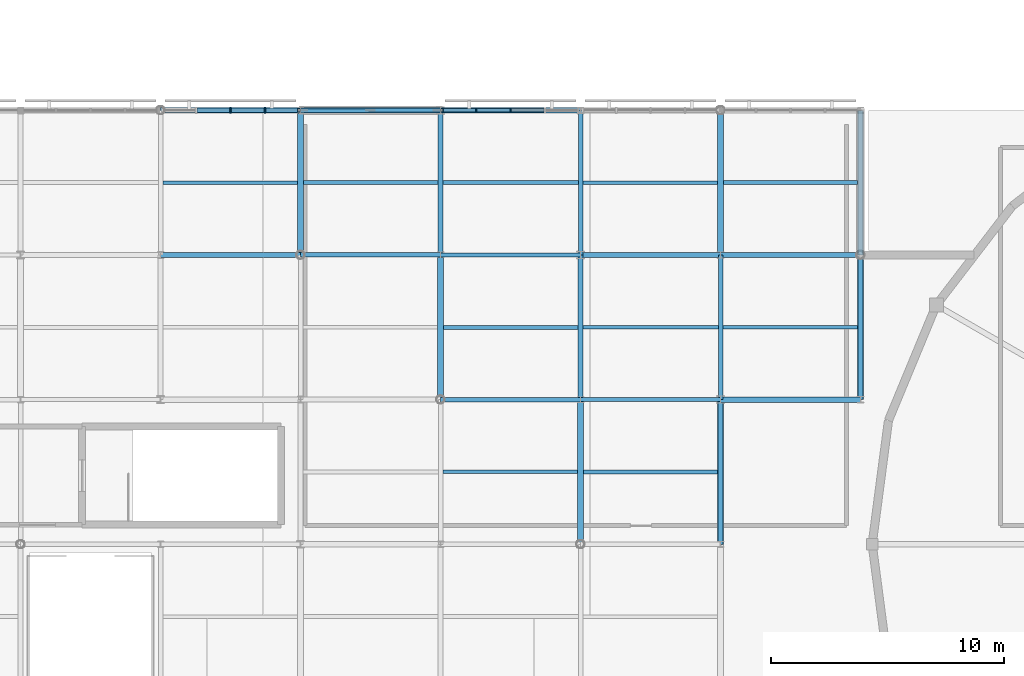
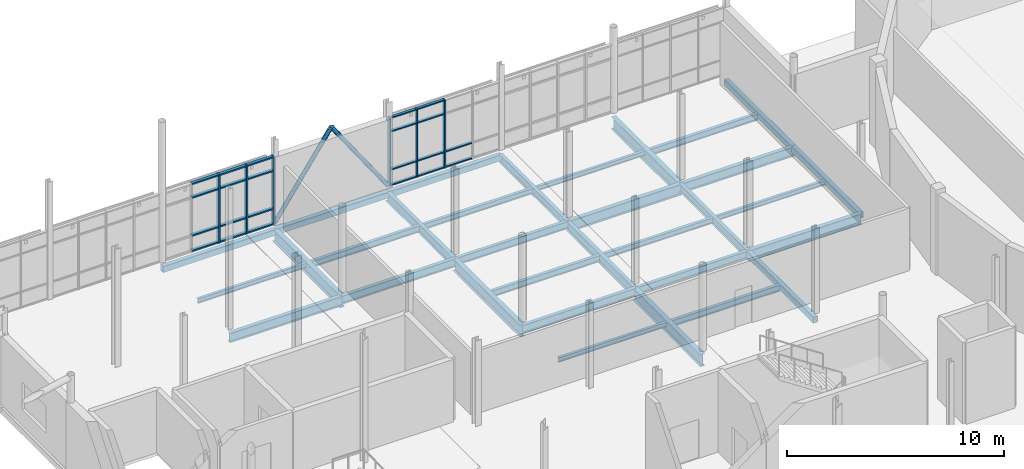
# One storey, part 31 of 84: 32 beams, 30 members, 2 elements without a shape of their own.
"""IFC4 building model written with IfcOpenShell, lengths in metres."""

from ifc_helpers import new_model, si_unit, direction, frame, origin, origin_2d, place, context, subcontext, project, spatial, rectangle, hollow_rectangle, hollow_circle, i_section, extrude, material, layer, layer_set, material_profile, profile_set, type_object, element, aggregate, save


model = new_model("IFC4")

# Units and contexts
model_context = context("Model", 3, precision=1e-05, world=origin(), true_north=direction((0.0, 1.0)))
body_context = subcontext(model_context, "Body", "Model", "MODEL_VIEW")
ifc_project = project(units=[si_unit("LENGTHUNIT", "METRE"), si_unit("AREAUNIT", "SQUARE_METRE"), si_unit("VOLUMEUNIT", "CUBIC_METRE"), si_unit("PLANEANGLEUNIT", "RADIAN"), si_unit("MASSUNIT", "GRAM", prefix="KILO")], contexts=[model_context])

# Site, building, storey
site_placement = place(None, origin())
site = spatial("IfcSite", under=ifc_project, at=site_placement, CompositionType="ELEMENT")
building_placement = place(site_placement, origin())
building = spatial("IfcBuilding", under=site, at=building_placement, Name="Mirzam Square Science Centre", CompositionType="ELEMENT")
storey_placement = place(building_placement, frame((0.0, 0.0, 10.800048828125)))
storey = spatial("IfcBuildingStorey", under=building, at=storey_placement, Name="L02", CompositionType="ELEMENT", Elevation=10.800048828125)

# Beams
ifc_material_1 = material(Name="Steel S355", Category="steel")
ifc_material_profile_1 = material_profile(ifc_material_1, i_section(OverallWidth=0.1787109375, OverallDepth=0.409423828125, WebThickness=0.0087890625, FlangeThickness=0.014404296875, FilletRadius=0.01025390625, at=origin_2d()), Name="406x178x67UB")
ifc_profile_set_1 = profile_set([ifc_material_profile_1], Name="Steel S355")
beam_type_1 = type_object("IfcBeamType", Name="BM-UB406", PredefinedType="BEAM", material=ifc_profile_set_1)
for number, where, z_axis, x_axis, name in (
    (1, (48.0, 68.199951171875, -0.46484375), (1.0, 0.0, 0.0), (0.0, 1.0, 0.0), "L02 girder X9-12"),
    (2, (42.0, 74.39990234375, -0.46484375), (1.0, 0.0, 0.0), (0.0, 1.0, 0.0), "L02 girder X8-13"),
):
    element("IfcBeam", number, at=place(storey_placement, frame(where, z_axis=z_axis, x_axis=x_axis)), inside=storey, type_object=beam_type_1, Name=name, PredefinedType="BEAM", context=body_context, shape_type="SweptSolid", body=[
        extrude(i_section(OverallWidth=0.1787109375, OverallDepth=0.409423828125, WebThickness=0.0087890625, FlangeThickness=0.014404296875, FilletRadius=0.01025390625, at=origin_2d()), origin(), (0.0, 0.0, 1.0), 6.0),
    ])
ifc_material_profile_2 = material_profile(ifc_material_1, i_section(OverallWidth=0.19140625, OverallDepth=0.4599609375, WebThickness=0.010009765625, FlangeThickness=0.01611328125, FilletRadius=0.01025390625, at=origin_2d()), Name="457x191x82UB")
ifc_profile_set_2 = profile_set([ifc_material_profile_2], Name="Steel S355")
beam_type_2 = type_object("IfcBeamType", Name="BM-UB457", PredefinedType="BEAM", material=ifc_profile_set_2)
for number, where, z_axis, x_axis, name in (
    (3, (42.0, 68.199951171875, -0.489990234375), (1.0, 0.0, 0.0), (0.0, 1.0, 0.0), "L02 girder X8-12"),
    (4, (36.0, 74.39990234375, -0.489990234375), (1.0, 0.0, 0.0), (0.0, 1.0, 0.0), "L02 girder X7-13"),
):
    element("IfcBeam", number, at=place(storey_placement, frame(where, z_axis=z_axis, x_axis=x_axis)), inside=storey, type_object=beam_type_2, Name=name, PredefinedType="BEAM", context=body_context, shape_type="SweptSolid", body=[
        extrude(i_section(OverallWidth=0.19140625, OverallDepth=0.4599609375, WebThickness=0.010009765625, FlangeThickness=0.01611328125, FilletRadius=0.01025390625, at=origin_2d()), origin(), (0.0, 0.0, 1.0), 6.0),
    ])
beam_1_placement = place(storey_placement, frame((48.0, 74.39990234375, -0.489990234375), z_axis=(0.0, 1.0, 0.0), x_axis=(-1.0, 0.0, 0.0)))
element("IfcBeam", 5, at=beam_1_placement, inside=storey, type_object=beam_type_2, Name="L02 girder Y9-13", PredefinedType="BEAM", context=body_context, shape_type="SweptSolid", body=[
    extrude(i_section(OverallWidth=0.19140625, OverallDepth=0.4599609375, WebThickness=0.010009765625, FlangeThickness=0.01611328125, FilletRadius=0.01025390625, at=origin_2d()), origin(), (0.0, 0.0, 1.0), 6.2001953125),
])
beam_2_placement = place(storey_placement, frame((54.0, 68.199951171875, -0.489990234375), z_axis=(0.0, 1.0, 0.0), x_axis=(-1.0, 0.0, 0.0)))
element("IfcBeam", 6, at=beam_2_placement, inside=storey, type_object=beam_type_2, Name="L02 girder Y10-12", PredefinedType="BEAM", context=body_context, shape_type="SweptSolid", body=[
    extrude(i_section(OverallWidth=0.19140625, OverallDepth=0.4599609375, WebThickness=0.010009765625, FlangeThickness=0.01611328125, FilletRadius=0.01025390625, at=origin_2d()), origin(), (0.0, 0.0, 1.0), 6.199951171875),
])
ifc_material_profile_3 = material_profile(ifc_material_1, i_section(OverallWidth=0.2099609375, OverallDepth=0.53662109375, WebThickness=0.0107421875, FlangeThickness=0.017333984375, FilletRadius=0.0126953125, at=origin_2d()), Name="533x210x101UB")
ifc_profile_set_3 = profile_set([ifc_material_profile_3], Name="Steel S355")
beam_type_3 = type_object("IfcBeamType", Name="BM-UB533", PredefinedType="BEAM", material=ifc_profile_set_3)
for number, where, z_axis, x_axis, name in (
    (7, (30.0, 74.39990234375, -0.528564453125), (1.0, 0.0, 0.0), (0.0, 1.0, 0.0), "L02 girder X6-13"),
    (8, (54.0, 74.39990234375, -0.528564453125), (1.0, 0.0, 0.0), (0.0, 1.0, 0.0), "L02 girder X10-13"),
):
    element("IfcBeam", number, at=place(storey_placement, frame(where, z_axis=z_axis, x_axis=x_axis)), inside=storey, type_object=beam_type_3, Name=name, PredefinedType="BEAM", context=body_context, shape_type="SweptSolid", body=[
        extrude(i_section(OverallWidth=0.2099609375, OverallDepth=0.53662109375, WebThickness=0.0107421875, FlangeThickness=0.017333984375, FilletRadius=0.0126953125, at=origin_2d()), origin(), (0.0, 0.0, 1.0), 6.0),
    ])
beam_3_placement = place(storey_placement, frame((42.0, 74.39990234375, -0.528564453125), z_axis=(0.0, 1.0, 0.0), x_axis=(-1.0, 0.0, 0.0)))
element("IfcBeam", 9, at=beam_3_placement, inside=storey, type_object=beam_type_3, Name="L02 girder Y8-13", PredefinedType="BEAM", context=body_context, shape_type="SweptSolid", body=[
    extrude(i_section(OverallWidth=0.2099609375, OverallDepth=0.53662109375, WebThickness=0.0107421875, FlangeThickness=0.017333984375, FilletRadius=0.0126953125, at=origin_2d()), origin(), (0.0, 0.0, 1.0), 6.2001953125),
])
beam_4_placement = place(storey_placement, frame((48.0, 68.199951171875, -0.528564453125), z_axis=(0.0, 1.0, 0.0), x_axis=(-1.0, 0.0, 0.0)))
element("IfcBeam", 10, at=beam_4_placement, inside=storey, type_object=beam_type_3, Name="L02 girder Y9-12", PredefinedType="BEAM", context=body_context, shape_type="SweptSolid", body=[
    extrude(i_section(OverallWidth=0.2099609375, OverallDepth=0.53662109375, WebThickness=0.0107421875, FlangeThickness=0.017333984375, FilletRadius=0.0126953125, at=origin_2d()), origin(), (0.0, 0.0, 1.0), 6.199951171875),
])
ifc_material_profile_4 = material_profile(ifc_material_1, i_section(OverallWidth=0.22900390625, OverallDepth=0.6123046875, WebThickness=0.011962890625, FlangeThickness=0.01953125, FilletRadius=0.0126953125, at=origin_2d()), Name="610x229x125UB")
ifc_profile_set_4 = profile_set([ifc_material_profile_4], Name="Steel S355")
beam_type_4 = type_object("IfcBeamType", Name="BM-UB610", PredefinedType="BEAM", material=ifc_profile_set_4)
for number, where, z_axis, x_axis, name in (
    (11, (54.0, 68.199951171875, -0.566162109375), (1.0, 0.0, 0.0), (0.0, 1.0, 0.0), "L02 girder X10-12"),
    (12, (48.0, 74.39990234375, -0.566162109375), (1.0, 0.0, 0.0), (0.0, 1.0, 0.0), "L02 girder X9-13"),
):
    element("IfcBeam", number, at=place(storey_placement, frame(where, z_axis=z_axis, x_axis=x_axis)), inside=storey, type_object=beam_type_4, Name=name, PredefinedType="BEAM", context=body_context, shape_type="SweptSolid", body=[
        extrude(i_section(OverallWidth=0.22900390625, OverallDepth=0.6123046875, WebThickness=0.011962890625, FlangeThickness=0.01953125, FilletRadius=0.0126953125, at=origin_2d()), origin(), (0.0, 0.0, 1.0), 6.0),
    ])
ifc_material_profile_5 = material_profile(ifc_material_1, i_section(OverallWidth=0.25439453125, OverallDepth=0.6875, WebThickness=0.01318359375, FlangeThickness=0.02099609375, FilletRadius=0.01513671875, at=origin_2d()), Name="686x254x152UB")
ifc_profile_set_5 = profile_set([ifc_material_profile_5], Name="Steel S355")
beam_type_5 = type_object("IfcBeamType", Name="BM-UB686", PredefinedType="BEAM", material=ifc_profile_set_5)
beam_5_placement = place(storey_placement, frame((36.0, 74.39990234375, -0.603759765625), z_axis=(0.0, 1.0, 0.0), x_axis=(-1.0, 0.0, 0.0)))
element("IfcBeam", 13, at=beam_5_placement, inside=storey, type_object=beam_type_5, Name="L02 girder Y7-13", PredefinedType="BEAM", context=body_context, shape_type="SweptSolid", body=[
    extrude(i_section(OverallWidth=0.25439453125, OverallDepth=0.6875, WebThickness=0.01318359375, FlangeThickness=0.02099609375, FilletRadius=0.01513671875, at=origin_2d()), origin(), (0.0, 0.0, 1.0), 6.2001953125),
])
for number, where, z_axis, x_axis, name in (
    (14, (42.0, 68.199951171875, -0.603759765625), (0.0, 1.0, 0.0), (-1.0, 0.0, 0.0), "L02 girder Y8-12"),
    (15, (48.0, 62.0, -0.603759765625), (0.0, 1.0, 0.0), (-1.0, 0.0, 0.0), "L02 girder Y9-11"),
):
    element("IfcBeam", number, at=place(storey_placement, frame(where, z_axis=z_axis, x_axis=x_axis)), inside=storey, type_object=beam_type_5, Name=name, PredefinedType="BEAM", context=body_context, shape_type="SweptSolid", body=[
        extrude(i_section(OverallWidth=0.25439453125, OverallDepth=0.6875, WebThickness=0.01318359375, FlangeThickness=0.02099609375, FilletRadius=0.01513671875, at=origin_2d()), origin(), (0.0, 0.0, 1.0), 6.199951171875),
    ])
beam_6_placement = place(storey_placement, frame((54.0, 74.39990234375, -0.603759765625), z_axis=(0.0, 1.0, 0.0), x_axis=(-1.0, 0.0, 0.0)))
element("IfcBeam", 16, at=beam_6_placement, inside=storey, type_object=beam_type_5, Name="L02 girder Y10-13", PredefinedType="BEAM", context=body_context, shape_type="SweptSolid", body=[
    extrude(i_section(OverallWidth=0.25439453125, OverallDepth=0.6875, WebThickness=0.01318359375, FlangeThickness=0.02099609375, FilletRadius=0.01513671875, at=origin_2d()), origin(), (0.0, 0.0, 1.0), 6.2001953125),
])

# Members
ifc_material_profile_6 = material_profile(ifc_material_1, hollow_circle(Radius=0.109619140625, WallThickness=0.010009765625, at=origin_2d()), Name="219.1x10.0CHS")
ifc_profile_set_6 = profile_set([ifc_material_profile_6], Name="Steel S355")
member_type_1 = type_object("IfcMemberType", Name="BR-CHS219", PredefinedType="BRACE", material=ifc_profile_set_6)
for number, where, z_axis, x_axis, name in (
    (17, (36.0, 80.60009765625, 0.050048828125), (0.56995502797, 0.0, 0.821675888712), (0.0, 1.0, 0.0), "L02 chevron brace 3A"),
    (18, (42.0, 80.60009765625, 0.050048828125), (-0.56995502797, 0.0, 0.821675888712), (0.0, -1.0, 0.0), "L02 chevron brace 3B"),
):
    element("IfcMember", number, at=place(storey_placement, frame(where, z_axis=z_axis, x_axis=x_axis)), inside=storey, type_object=member_type_1, Name=name, PredefinedType="BRACE", context=body_context, shape_type="SweptSolid", body=[
        extrude(hollow_circle(Radius=0.109619140625, WallThickness=0.010009765625, at=origin_2d()), origin(), (0.0, 0.0, 1.0), 5.263671875),
    ])

# Curtain wall, members
ifc_material_2 = material(Name="Anodised Aluminium and Low-E Solar Glass", Category="aluminium")
ifc_layer_1 = layer(ifc_material_2, 0.159912109375)
ifc_layer_set_1 = layer_set([ifc_layer_1], Name="CW-COURT-A")
curtain_wall_type_1 = type_object("IfcCurtainWallType", Name="CW-COURT-A", PredefinedType="USERDEFINED", material=ifc_layer_set_1)
curtain_wall_1_placement = place(storey_placement, origin())
curtain_wall_1 = element("IfcCurtainWall", 19, at=curtain_wall_1_placement, inside=storey, type_object=curtain_wall_type_1, Name="L02 unitised curtain wall 24", ObjectType="UNITISED CURTAIN WALL", PredefinedType="USERDEFINED")
ifc_material_3 = material(Name="Anodised Architectural Aluminium 6063-T6", Category="aluminium")
ifc_material_profile_7 = material_profile(ifc_material_3, rectangle(XDim=0.06494140625, YDim=0.199951171875, at=origin_2d()), Name="ALU-MULL-200x65x5")
ifc_profile_set_7 = profile_set([ifc_material_profile_7], Name="Anodised Architectural Aluminium 6063-T6")
member_type_2 = type_object("IfcMemberType", Name="CWM-200", PredefinedType="MULLION", material=ifc_profile_set_7)
member_1_placement = place(storey_placement, frame((45.0, 80.60009765625, 0.0), z_axis=(0.0, 0.0, 1.0), x_axis=(-1.0, 0.0, 0.0)))
member_1 = element("IfcMember", 20, at=member_1_placement, type_object=member_type_2, Name="CW-03 mullion 3", PredefinedType="MULLION", context=body_context, shape_type="SweptSolid", body=[
    extrude(rectangle(XDim=0.06494140625, YDim=0.199951171875, at=origin_2d()), origin(), (0.0, 0.0, 1.0), 3.83984375),
])
member_2_placement = place(storey_placement, frame((43.527587890625, 80.60009765625, 0.0), z_axis=(0.0, 0.0, 1.0), x_axis=(-1.0, 0.0, 0.0)))
member_2 = element("IfcMember", 21, at=member_2_placement, type_object=member_type_2, Name="CW-03 mullion 4", PredefinedType="MULLION", context=body_context, shape_type="SweptSolid", body=[
    extrude(rectangle(XDim=0.06494140625, YDim=0.199951171875, at=origin_2d()), origin(), (0.0, 0.0, 1.0), 3.83984375),
])
member_3_placement = place(storey_placement, frame((42.08740234375, 80.60009765625, 0.0), z_axis=(0.0, 0.0, 1.0), x_axis=(-1.0, 0.0, 0.0)))
member_3 = element("IfcMember", 22, at=member_3_placement, type_object=member_type_2, Name="CW-03 mullion 5", PredefinedType="MULLION", context=body_context, shape_type="SweptSolid", body=[
    extrude(rectangle(XDim=0.06494140625, YDim=0.199951171875, at=origin_2d()), origin(), (0.0, 0.0, 1.0), 3.83984375),
])

ifc_layer_2 = layer(ifc_material_2, 0.179931640625)
ifc_layer_set_2 = layer_set([ifc_layer_2], Name="CW-PARK-A")
curtain_wall_type_2 = type_object("IfcCurtainWallType", Name="CW-PARK-A", PredefinedType="USERDEFINED", material=ifc_layer_set_2)
curtain_wall_2_placement = place(storey_placement, origin())
curtain_wall_2 = element("IfcCurtainWall", 23, at=curtain_wall_2_placement, inside=storey, type_object=curtain_wall_type_2, Name="L02 unitised curtain wall 23", ObjectType="UNITISED CURTAIN WALL", PredefinedType="USERDEFINED")
ifc_material_profile_8 = material_profile(ifc_material_3, rectangle(XDim=0.074951171875, YDim=0.239990234375, at=origin_2d()), Name="ALU-MULL-240x75x5")
ifc_profile_set_8 = profile_set([ifc_material_profile_8], Name="Anodised Architectural Aluminium 6063-T6")
member_type_3 = type_object("IfcMemberType", Name="CWM-240", PredefinedType="MULLION", material=ifc_profile_set_8)
member_4_placement = place(storey_placement, frame((35.907470703125, 80.60009765625, 0.0), z_axis=(0.0, 0.0, 1.0), x_axis=(-1.0, 0.0, 0.0)))
member_4 = element("IfcMember", 24, at=member_4_placement, type_object=member_type_3, Name="CW-01 mullion 1", PredefinedType="MULLION", context=body_context, shape_type="SweptSolid", body=[
    extrude(rectangle(XDim=0.074951171875, YDim=0.239990234375, at=origin_2d()), origin(), (0.0, 0.0, 1.0), 3.83984375),
])
member_5_placement = place(storey_placement, frame((34.472412109375, 80.60009765625, 0.0), z_axis=(0.0, 0.0, 1.0), x_axis=(-1.0, 0.0, 0.0)))
member_5 = element("IfcMember", 25, at=member_5_placement, type_object=member_type_3, Name="CW-01 mullion 2", PredefinedType="MULLION", context=body_context, shape_type="SweptSolid", body=[
    extrude(rectangle(XDim=0.074951171875, YDim=0.239990234375, at=origin_2d()), origin(), (0.0, 0.0, 1.0), 3.83984375),
])
member_6_placement = place(storey_placement, frame((33.0, 80.60009765625, 0.0), z_axis=(0.0, 0.0, 1.0), x_axis=(-1.0, 0.0, 0.0)))
member_6 = element("IfcMember", 26, at=member_6_placement, type_object=member_type_3, Name="CW-01 mullion 3", PredefinedType="MULLION", context=body_context, shape_type="SweptSolid", body=[
    extrude(rectangle(XDim=0.074951171875, YDim=0.239990234375, at=origin_2d()), origin(), (0.0, 0.0, 1.0), 3.83984375),
])

# Member
ifc_material_profile_9 = material_profile(ifc_material_3, rectangle(XDim=0.14990234375, YDim=0.06494140625, at=origin_2d()), Name="ALU-TRAN-150x65x4")
ifc_profile_set_9 = profile_set([ifc_material_profile_9], Name="Anodised Architectural Aluminium 6063-T6")
member_type_4 = type_object("IfcMemberType", Name="CWT-150", PredefinedType="USERDEFINED", material=ifc_profile_set_9)
member_7_placement = place(storey_placement, frame((46.43994140625, 80.60009765625, 0.032470703125), z_axis=(-1.0, 0.0, 0.0), x_axis=(0.0, -1.0, 0.0)))
member_7 = element("IfcMember", 27, at=member_7_placement, type_object=member_type_4, Name="CW-03 transom 2.1", ObjectType="TRANSOM", PredefinedType="USERDEFINED", context=body_context, shape_type="SweptSolid", body=[
    extrude(rectangle(XDim=0.14990234375, YDim=0.06494140625, at=origin_2d()), origin(), (0.0, 0.0, 1.0), 1.407470703125),
])

member_8_placement = place(storey_placement, frame((46.43994140625, 80.60009765625, 0.89990234375), z_axis=(-1.0, 0.0, 0.0), x_axis=(0.0, -1.0, 0.0)))
member_8 = element("IfcMember", 28, at=member_8_placement, type_object=member_type_4, Name="CW-03 transom 2.2", ObjectType="TRANSOM", PredefinedType="USERDEFINED", context=body_context, shape_type="SweptSolid", body=[
    extrude(rectangle(XDim=0.14990234375, YDim=0.06494140625, at=origin_2d()), origin(), (0.0, 0.0, 1.0), 1.407470703125),
])

member_9_placement = place(storey_placement, frame((44.967529296875, 80.60009765625, 0.032470703125), z_axis=(-1.0, 0.0, 0.0), x_axis=(0.0, -1.0, 0.0)))
member_9 = element("IfcMember", 29, at=member_9_placement, type_object=member_type_4, Name="CW-03 transom 3.1", ObjectType="TRANSOM", PredefinedType="USERDEFINED", context=body_context, shape_type="SweptSolid", body=[
    extrude(rectangle(XDim=0.14990234375, YDim=0.06494140625, at=origin_2d()), origin(), (0.0, 0.0, 1.0), 1.407470703125),
])

member_10_placement = place(storey_placement, frame((44.967529296875, 80.60009765625, 0.89990234375), z_axis=(-1.0, 0.0, 0.0), x_axis=(0.0, -1.0, 0.0)))
member_10 = element("IfcMember", 30, at=member_10_placement, type_object=member_type_4, Name="CW-03 transom 3.2", ObjectType="TRANSOM", PredefinedType="USERDEFINED", context=body_context, shape_type="SweptSolid", body=[
    extrude(rectangle(XDim=0.14990234375, YDim=0.06494140625, at=origin_2d()), origin(), (0.0, 0.0, 1.0), 1.407470703125),
])

member_11_placement = place(storey_placement, frame((44.967529296875, 80.60009765625, 3.0400390625), z_axis=(-1.0, 0.0, 0.0), x_axis=(0.0, -1.0, 0.0)))
member_11 = element("IfcMember", 31, at=member_11_placement, type_object=member_type_4, Name="CW-03 transom 3.3", ObjectType="TRANSOM", PredefinedType="USERDEFINED", context=body_context, shape_type="SweptSolid", body=[
    extrude(rectangle(XDim=0.14990234375, YDim=0.06494140625, at=origin_2d()), origin(), (0.0, 0.0, 1.0), 1.407470703125),
])

member_12_placement = place(storey_placement, frame((44.967529296875, 80.60009765625, 3.807373046875), z_axis=(-1.0, 0.0, 0.0), x_axis=(0.0, -1.0, 0.0)))
member_12 = element("IfcMember", 32, at=member_12_placement, type_object=member_type_4, Name="CW-03 transom 3.4", ObjectType="TRANSOM", PredefinedType="USERDEFINED", context=body_context, shape_type="SweptSolid", body=[
    extrude(rectangle(XDim=0.14990234375, YDim=0.06494140625, at=origin_2d()), origin(), (0.0, 0.0, 1.0), 1.407470703125),
])

member_13_placement = place(storey_placement, frame((43.4951171875, 80.60009765625, 0.032470703125), z_axis=(-1.0, 0.0, 0.0), x_axis=(0.0, -1.0, 0.0)))
member_13 = element("IfcMember", 33, at=member_13_placement, type_object=member_type_4, Name="CW-03 transom 4.1", ObjectType="TRANSOM", PredefinedType="USERDEFINED", context=body_context, shape_type="SweptSolid", body=[
    extrude(rectangle(XDim=0.14990234375, YDim=0.06494140625, at=origin_2d()), origin(), (0.0, 0.0, 1.0), 1.375),
])

member_14_placement = place(storey_placement, frame((43.4951171875, 80.60009765625, 0.89990234375), z_axis=(-1.0, 0.0, 0.0), x_axis=(0.0, -1.0, 0.0)))
member_14 = element("IfcMember", 34, at=member_14_placement, type_object=member_type_4, Name="CW-03 transom 4.2", ObjectType="TRANSOM", PredefinedType="USERDEFINED", context=body_context, shape_type="SweptSolid", body=[
    extrude(rectangle(XDim=0.14990234375, YDim=0.06494140625, at=origin_2d()), origin(), (0.0, 0.0, 1.0), 1.375),
])

member_15_placement = place(storey_placement, frame((43.4951171875, 80.60009765625, 3.0400390625), z_axis=(-1.0, 0.0, 0.0), x_axis=(0.0, -1.0, 0.0)))
member_15 = element("IfcMember", 35, at=member_15_placement, type_object=member_type_4, Name="CW-03 transom 4.3", ObjectType="TRANSOM", PredefinedType="USERDEFINED", context=body_context, shape_type="SweptSolid", body=[
    extrude(rectangle(XDim=0.14990234375, YDim=0.06494140625, at=origin_2d()), origin(), (0.0, 0.0, 1.0), 1.375),
])

member_16_placement = place(storey_placement, frame((43.4951171875, 80.60009765625, 3.807373046875), z_axis=(-1.0, 0.0, 0.0), x_axis=(0.0, -1.0, 0.0)))
member_16 = element("IfcMember", 36, at=member_16_placement, type_object=member_type_4, Name="CW-03 transom 4.4", ObjectType="TRANSOM", PredefinedType="USERDEFINED", context=body_context, shape_type="SweptSolid", body=[
    extrude(rectangle(XDim=0.14990234375, YDim=0.06494140625, at=origin_2d()), origin(), (0.0, 0.0, 1.0), 1.375),
])

aggregate(curtain_wall_1, [member_1, member_2, member_3, member_7, member_8, member_9, member_10, member_11, member_12, member_13, member_14, member_15, member_16])

ifc_material_profile_10 = material_profile(ifc_material_3, rectangle(XDim=0.179931640625, YDim=0.074951171875, at=origin_2d()), Name="ALU-TRAN-180x75x5")
ifc_profile_set_10 = profile_set([ifc_material_profile_10], Name="Anodised Architectural Aluminium 6063-T6")
member_type_5 = type_object("IfcMemberType", Name="CWT-180", PredefinedType="USERDEFINED", material=ifc_profile_set_10)
member_17_placement = place(storey_placement, frame((35.8701171875, 80.60009765625, 0.037353515625), z_axis=(-1.0, 0.0, 0.0), x_axis=(0.0, -1.0, 0.0)))
member_17 = element("IfcMember", 37, at=member_17_placement, type_object=member_type_5, Name="CW-01 transom 1.1", ObjectType="TRANSOM", PredefinedType="USERDEFINED", context=body_context, shape_type="SweptSolid", body=[
    extrude(rectangle(XDim=0.179931640625, YDim=0.074951171875, at=origin_2d()), origin(), (0.0, 0.0, 1.0), 1.360107421875),
])

member_18_placement = place(storey_placement, frame((35.8701171875, 80.60009765625, 0.89990234375), z_axis=(-1.0, 0.0, 0.0), x_axis=(0.0, -1.0, 0.0)))
member_18 = element("IfcMember", 38, at=member_18_placement, type_object=member_type_5, Name="CW-01 transom 1.2", ObjectType="TRANSOM", PredefinedType="USERDEFINED", context=body_context, shape_type="SweptSolid", body=[
    extrude(rectangle(XDim=0.179931640625, YDim=0.074951171875, at=origin_2d()), origin(), (0.0, 0.0, 1.0), 1.360107421875),
])

member_19_placement = place(storey_placement, frame((35.8701171875, 80.60009765625, 3.0400390625), z_axis=(-1.0, 0.0, 0.0), x_axis=(0.0, -1.0, 0.0)))
member_19 = element("IfcMember", 39, at=member_19_placement, type_object=member_type_5, Name="CW-01 transom 1.3", ObjectType="TRANSOM", PredefinedType="USERDEFINED", context=body_context, shape_type="SweptSolid", body=[
    extrude(rectangle(XDim=0.179931640625, YDim=0.074951171875, at=origin_2d()), origin(), (0.0, 0.0, 1.0), 1.360107421875),
])

member_20_placement = place(storey_placement, frame((35.8701171875, 80.60009765625, 3.802490234375), z_axis=(-1.0, 0.0, 0.0), x_axis=(0.0, -1.0, 0.0)))
member_20 = element("IfcMember", 40, at=member_20_placement, type_object=member_type_5, Name="CW-01 transom 1.4", ObjectType="TRANSOM", PredefinedType="USERDEFINED", context=body_context, shape_type="SweptSolid", body=[
    extrude(rectangle(XDim=0.179931640625, YDim=0.074951171875, at=origin_2d()), origin(), (0.0, 0.0, 1.0), 1.360107421875),
])

member_21_placement = place(storey_placement, frame((34.43505859375, 80.60009765625, 0.037353515625), z_axis=(-1.0, 0.0, 0.0), x_axis=(0.0, -1.0, 0.0)))
member_21 = element("IfcMember", 41, at=member_21_placement, type_object=member_type_5, Name="CW-01 transom 2.1", ObjectType="TRANSOM", PredefinedType="USERDEFINED", context=body_context, shape_type="SweptSolid", body=[
    extrude(rectangle(XDim=0.179931640625, YDim=0.074951171875, at=origin_2d()), origin(), (0.0, 0.0, 1.0), 1.3974609375),
])

member_22_placement = place(storey_placement, frame((34.43505859375, 80.60009765625, 0.89990234375), z_axis=(-1.0, 0.0, 0.0), x_axis=(0.0, -1.0, 0.0)))
member_22 = element("IfcMember", 42, at=member_22_placement, type_object=member_type_5, Name="CW-01 transom 2.2", ObjectType="TRANSOM", PredefinedType="USERDEFINED", context=body_context, shape_type="SweptSolid", body=[
    extrude(rectangle(XDim=0.179931640625, YDim=0.074951171875, at=origin_2d()), origin(), (0.0, 0.0, 1.0), 1.3974609375),
])

member_23_placement = place(storey_placement, frame((34.43505859375, 80.60009765625, 3.0400390625), z_axis=(-1.0, 0.0, 0.0), x_axis=(0.0, -1.0, 0.0)))
member_23 = element("IfcMember", 43, at=member_23_placement, type_object=member_type_5, Name="CW-01 transom 2.3", ObjectType="TRANSOM", PredefinedType="USERDEFINED", context=body_context, shape_type="SweptSolid", body=[
    extrude(rectangle(XDim=0.179931640625, YDim=0.074951171875, at=origin_2d()), origin(), (0.0, 0.0, 1.0), 1.3974609375),
])

member_24_placement = place(storey_placement, frame((34.43505859375, 80.60009765625, 3.802490234375), z_axis=(-1.0, 0.0, 0.0), x_axis=(0.0, -1.0, 0.0)))
member_24 = element("IfcMember", 44, at=member_24_placement, type_object=member_type_5, Name="CW-01 transom 2.4", ObjectType="TRANSOM", PredefinedType="USERDEFINED", context=body_context, shape_type="SweptSolid", body=[
    extrude(rectangle(XDim=0.179931640625, YDim=0.074951171875, at=origin_2d()), origin(), (0.0, 0.0, 1.0), 1.3974609375),
])

member_25_placement = place(storey_placement, frame((32.96240234375, 80.60009765625, 0.037353515625), z_axis=(-1.0, 0.0, 0.0), x_axis=(0.0, -1.0, 0.0)))
member_25 = element("IfcMember", 45, at=member_25_placement, type_object=member_type_5, Name="CW-01 transom 3.1", ObjectType="TRANSOM", PredefinedType="USERDEFINED", context=body_context, shape_type="SweptSolid", body=[
    extrude(rectangle(XDim=0.179931640625, YDim=0.074951171875, at=origin_2d()), origin(), (0.0, 0.0, 1.0), 1.3974609375),
])

member_26_placement = place(storey_placement, frame((32.96240234375, 80.60009765625, 0.89990234375), z_axis=(-1.0, 0.0, 0.0), x_axis=(0.0, -1.0, 0.0)))
member_26 = element("IfcMember", 46, at=member_26_placement, type_object=member_type_5, Name="CW-01 transom 3.2", ObjectType="TRANSOM", PredefinedType="USERDEFINED", context=body_context, shape_type="SweptSolid", body=[
    extrude(rectangle(XDim=0.179931640625, YDim=0.074951171875, at=origin_2d()), origin(), (0.0, 0.0, 1.0), 1.3974609375),
])

member_27_placement = place(storey_placement, frame((32.96240234375, 80.60009765625, 3.0400390625), z_axis=(-1.0, 0.0, 0.0), x_axis=(0.0, -1.0, 0.0)))
member_27 = element("IfcMember", 47, at=member_27_placement, type_object=member_type_5, Name="CW-01 transom 3.3", ObjectType="TRANSOM", PredefinedType="USERDEFINED", context=body_context, shape_type="SweptSolid", body=[
    extrude(rectangle(XDim=0.179931640625, YDim=0.074951171875, at=origin_2d()), origin(), (0.0, 0.0, 1.0), 1.3974609375),
])

member_28_placement = place(storey_placement, frame((32.96240234375, 80.60009765625, 3.802490234375), z_axis=(-1.0, 0.0, 0.0), x_axis=(0.0, -1.0, 0.0)))
member_28 = element("IfcMember", 48, at=member_28_placement, type_object=member_type_5, Name="CW-01 transom 3.4", ObjectType="TRANSOM", PredefinedType="USERDEFINED", context=body_context, shape_type="SweptSolid", body=[
    extrude(rectangle(XDim=0.179931640625, YDim=0.074951171875, at=origin_2d()), origin(), (0.0, 0.0, 1.0), 1.3974609375),
])

aggregate(curtain_wall_2, [member_4, member_5, member_6, member_17, member_18, member_19, member_20, member_21, member_22, member_23, member_24, member_25, member_26, member_27, member_28])

# Beams
ifc_material_profile_11 = material_profile(ifc_material_1, i_section(OverallWidth=0.146484375, OverallDepth=0.256103515625, WebThickness=0.00634765625, FlangeThickness=0.010986328125, FilletRadius=0.007568359375, at=origin_2d()), Name="254x146x37UB")
ifc_profile_set_11 = profile_set([ifc_material_profile_11], Name="Steel S355")
beam_type_6 = type_object("IfcBeamType", Name="JS-UB254", PredefinedType="JOIST", material=ifc_profile_set_11)
for number, where, z_axis, x_axis, name in (
    (49, (30.095703125, 77.5, -0.387939453125), (1.0, 0.0, 0.0), (0.0, 1.0, 0.0), "L02 composite joist 6-13"),
    (50, (42.095703125, 65.10009765625, -0.387939453125), (1.0, 0.0, 0.0), (0.0, 1.0, 0.0), "L02 composite joist 8-11"),
    (51, (48.095703125, 77.5, -0.387939453125), (1.0, 0.0, 0.0), (0.0, 1.0, 0.0), "L02 composite joist 9-13"),
):
    element("IfcBeam", number, at=place(storey_placement, frame(where, z_axis=z_axis, x_axis=x_axis)), inside=storey, type_object=beam_type_6, Name=name, PredefinedType="JOIST", context=body_context, shape_type="SweptSolid", body=[
        extrude(i_section(OverallWidth=0.146484375, OverallDepth=0.256103515625, WebThickness=0.00634765625, FlangeThickness=0.010986328125, FilletRadius=0.007568359375, at=origin_2d()), origin(), (0.0, 0.0, 1.0), 5.777099609375),
    ])
beam_7_placement = place(storey_placement, frame((54.095703125, 71.300048828125, -0.387939453125), z_axis=(1.0, 0.0, 0.0), x_axis=(0.0, 1.0, 0.0)))
element("IfcBeam", 52, at=beam_7_placement, inside=storey, type_object=beam_type_6, Name="L02 composite joist 10-12", PredefinedType="JOIST", context=body_context, shape_type="SweptSolid", body=[
    extrude(i_section(OverallWidth=0.146484375, OverallDepth=0.256103515625, WebThickness=0.00634765625, FlangeThickness=0.010986328125, FilletRadius=0.007568359375, at=origin_2d()), origin(), (0.0, 0.0, 1.0), 5.779296875),
])
ifc_material_profile_12 = material_profile(ifc_material_1, i_section(OverallWidth=0.165771484375, OverallDepth=0.306640625, WebThickness=0.006591796875, FlangeThickness=0.01171875, FilletRadius=0.0087890625, at=origin_2d()), Name="305x165x46UB")
ifc_profile_set_12 = profile_set([ifc_material_profile_12], Name="Steel S355")
beam_type_7 = type_object("IfcBeamType", Name="JS-UB305", PredefinedType="JOIST", material=ifc_profile_set_12)
for number, where, z_axis, x_axis, name in (
    (53, (42.10498046875, 77.5, -0.413330078125), (1.0, 0.0, 0.0), (0.0, 1.0, 0.0), "L02 composite joist 8-13"),
    (54, (48.10498046875, 71.300048828125, -0.413330078125), (1.0, 0.0, 0.0), (0.0, 1.0, 0.0), "L02 composite joist 9-12"),
):
    element("IfcBeam", number, at=place(storey_placement, frame(where, z_axis=z_axis, x_axis=x_axis)), inside=storey, type_object=beam_type_7, Name=name, PredefinedType="JOIST", context=body_context, shape_type="SweptSolid", body=[
        extrude(i_section(OverallWidth=0.165771484375, OverallDepth=0.306640625, WebThickness=0.006591796875, FlangeThickness=0.01171875, FilletRadius=0.0087890625, at=origin_2d()), origin(), (0.0, 0.0, 1.0), 5.79931640625),
    ])
ifc_material_profile_13 = material_profile(ifc_material_1, i_section(OverallWidth=0.172119140625, OverallDepth=0.35791015625, WebThickness=0.008056640625, FlangeThickness=0.012939453125, FilletRadius=0.01025390625, at=origin_2d()), Name="356x171x57UB")
ifc_profile_set_13 = profile_set([ifc_material_profile_13], Name="Steel S355")
beam_type_8 = type_object("IfcBeamType", Name="JS-UB356", PredefinedType="JOIST", material=ifc_profile_set_13)
for number, where, z_axis, x_axis, name in (
    (55, (36.127197265625, 77.5, -0.43896484375), (1.0, 0.0, 0.0), (0.0, 1.0, 0.0), "L02 composite joist 7-13"),
    (56, (42.127197265625, 71.300048828125, -0.43896484375), (1.0, 0.0, 0.0), (0.0, 1.0, 0.0), "L02 composite joist 8-12"),
):
    element("IfcBeam", number, at=place(storey_placement, frame(where, z_axis=z_axis, x_axis=x_axis)), inside=storey, type_object=beam_type_8, Name=name, PredefinedType="JOIST", context=body_context, shape_type="SweptSolid", body=[
        extrude(i_section(OverallWidth=0.172119140625, OverallDepth=0.35791015625, WebThickness=0.008056640625, FlangeThickness=0.012939453125, FilletRadius=0.01025390625, at=origin_2d()), origin(), (0.0, 0.0, 1.0), 5.767822265625),
    ])
for number, where, z_axis, x_axis, name in (
    (57, (48.127197265625, 65.10009765625, -0.43896484375), (1.0, 0.0, 0.0), (0.0, 1.0, 0.0), "L02 composite joist 9-11"),
    (58, (54.127197265625, 77.5, -0.43896484375), (1.0, 0.0, 0.0), (0.0, 1.0, 0.0), "L02 composite joist 10-13"),
):
    element("IfcBeam", number, at=place(storey_placement, frame(where, z_axis=z_axis, x_axis=x_axis)), inside=storey, type_object=beam_type_8, Name=name, PredefinedType="JOIST", context=body_context, shape_type="SweptSolid", body=[
        extrude(i_section(OverallWidth=0.172119140625, OverallDepth=0.35791015625, WebThickness=0.008056640625, FlangeThickness=0.012939453125, FilletRadius=0.01025390625, at=origin_2d()), origin(), (0.0, 0.0, 1.0), 5.747802734375),
    ])
ifc_material_profile_14 = material_profile(ifc_material_1, hollow_rectangle(XDim=0.25, YDim=0.35009765625, WallThickness=0.012451171875, InnerFilletRadius=0.012451171875, OuterFilletRadius=0.02490234375, at=origin_2d()), Name="350x250x12.5RHS")
ifc_profile_set_14 = profile_set([ifc_material_profile_14], Name="Steel S355")
beam_type_9 = type_object("IfcBeamType", Name="SP-RHS350", PredefinedType="SPANDREL", material=ifc_profile_set_14)
for number, where, z_axis, x_axis, name in (
    (59, (30.0, 80.60009765625, -0.43505859375), (1.0, 0.0, 0.0), (0.0, 1.0, 0.0), "L02 girder X6-14"),
    (60, (36.0, 80.60009765625, -0.43505859375), (1.0, 0.0, 0.0), (0.0, 1.0, 0.0), "L02 girder X7-14"),
    (61, (42.0, 80.60009765625, -0.43505859375), (1.0, 0.0, 0.0), (0.0, 1.0, 0.0), "L02 girder X8-14"),
):
    element("IfcBeam", number, at=place(storey_placement, frame(where, z_axis=z_axis, x_axis=x_axis)), inside=storey, type_object=beam_type_9, Name=name, PredefinedType="SPANDREL", context=body_context, shape_type="SweptSolid", body=[
        extrude(hollow_rectangle(XDim=0.25, YDim=0.35009765625, WallThickness=0.012451171875, InnerFilletRadius=0.012451171875, OuterFilletRadius=0.02490234375, at=origin_2d()), origin(), (0.0, 0.0, 1.0), 6.0),
    ])
for number, where, z_axis, x_axis, name in (
    (62, (54.0, 62.0, -0.43505859375), (0.0, 1.0, 0.0), (-1.0, 0.0, 0.0), "L02 girder Y10-11"),
    (63, (60.0, 68.199951171875, -0.43505859375), (0.0, 1.0, 0.0), (-1.0, 0.0, 0.0), "L02 girder Y11-12"),
):
    element("IfcBeam", number, at=place(storey_placement, frame(where, z_axis=z_axis, x_axis=x_axis)), inside=storey, type_object=beam_type_9, Name=name, PredefinedType="SPANDREL", context=body_context, shape_type="SweptSolid", body=[
        extrude(hollow_rectangle(XDim=0.25, YDim=0.35009765625, WallThickness=0.012451171875, InnerFilletRadius=0.012451171875, OuterFilletRadius=0.02490234375, at=origin_2d()), origin(), (0.0, 0.0, 1.0), 6.199951171875),
    ])
beam_8_placement = place(storey_placement, frame((60.0, 74.39990234375, -0.43505859375), z_axis=(0.0, 1.0, 0.0), x_axis=(-1.0, 0.0, 0.0)))
element("IfcBeam", 64, at=beam_8_placement, inside=storey, type_object=beam_type_9, Name="L02 girder Y11-13", PredefinedType="SPANDREL", context=body_context, shape_type="SweptSolid", body=[
    extrude(hollow_rectangle(XDim=0.25, YDim=0.35009765625, WallThickness=0.012451171875, InnerFilletRadius=0.012451171875, OuterFilletRadius=0.02490234375, at=origin_2d()), origin(), (0.0, 0.0, 1.0), 6.2001953125),
])

save(model, "model.ifc")
